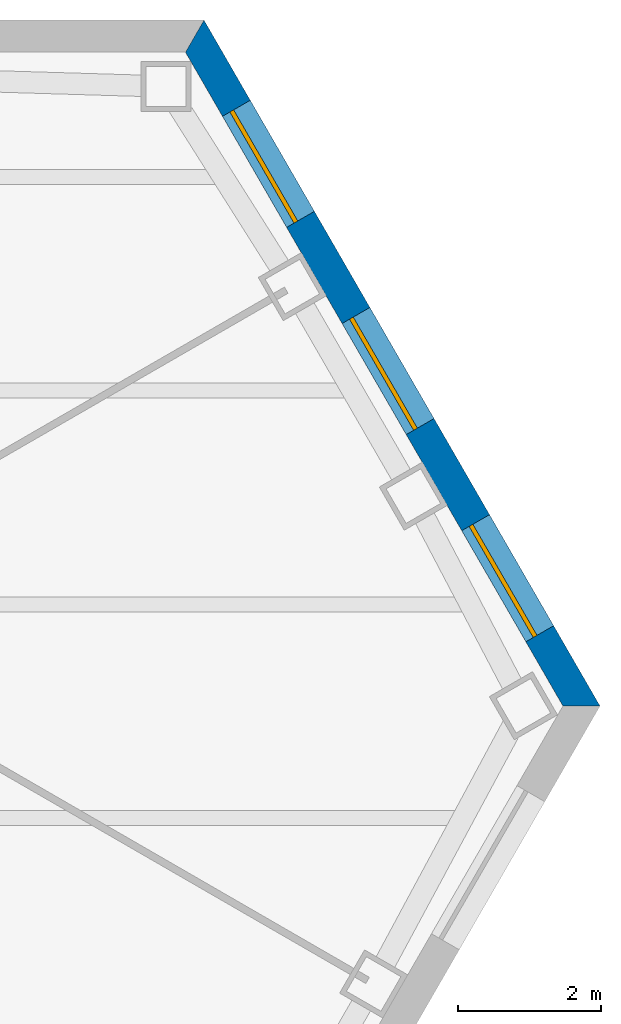
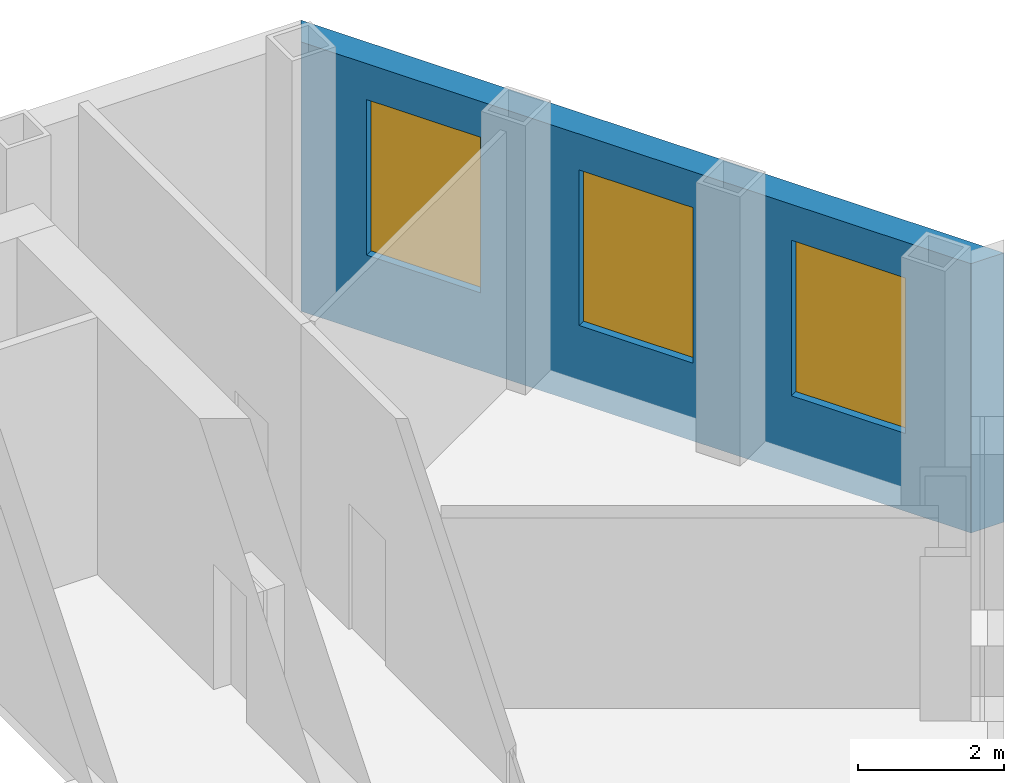
# One storey, part 8 of 11: 3 windows, 1 wall, 3 openings.
"""IFC4 building model written with IfcOpenShell, lengths in metres."""

from ifc_helpers import new_model, si_unit, direction, frame, frame_2d, origin, place, context, subcontext, project, spatial, polyline, rectangle, outline, extrude, material, layer, layer_set, type_object, element, fill, save


model = new_model("IFC4")

# Units and contexts
model_context = context("Model", 3, precision=1e-05, world=origin(), true_north=direction((0.0, 1.0)))
body_context = subcontext(model_context, "Body", "Model", "MODEL_VIEW")
ifc_project = project(units=[si_unit("LENGTHUNIT", "METRE"), si_unit("AREAUNIT", "SQUARE_METRE"), si_unit("VOLUMEUNIT", "CUBIC_METRE"), si_unit("PLANEANGLEUNIT", "RADIAN"), si_unit("MASSUNIT", "GRAM", prefix="KILO")], contexts=[model_context])

# Site, building, storey
site_placement = place(None, origin())
site = spatial("IfcSite", under=ifc_project, at=site_placement, CompositionType="ELEMENT")
building_placement = place(site_placement, origin())
building = spatial("IfcBuilding", under=site, at=building_placement, Name="Njiva Tower", CompositionType="ELEMENT")
storey_placement = place(building_placement, frame((0.0, 0.0, 64.8)))
storey = spatial("IfcBuildingStorey", under=building, at=storey_placement, Name="L13", CompositionType="ELEMENT", Elevation=64.8)

# Wall, openings, windows
ifc_material_1 = material(Name="Brick masonry, buff", Category="masonry")
ifc_layer = layer(ifc_material_1, 0.45)
ifc_layer_set = layer_set([ifc_layer], Name="Brick masonry, buff")
wall_type = type_object("IfcWallType", Name="WT94 Brick pier and spandrel wall 450, buff", PredefinedType="SOLIDWALL", material=ifc_layer_set)
wall_placement = place(storey_placement, frame((28.2964, 10.5763, -0.4), z_axis=(0.0, 0.0, 1.0), x_axis=(-0.500001948972, 0.866024278542, 0.0)))
wall = element("IfcWall", 1, at=wall_placement, inside=storey, type_object=wall_type, Name="Facade wall NE", PredefinedType="SOLIDWALL", context=body_context, shape_type="SweptSolid", body=[
    extrude(outline(polyline([(-0.1299, -0.225), (10.9801, -0.225), (10.7203, 0.225), (0.1299, 0.225), (-0.1299, -0.225)])), origin(), (0.0, 0.0, 1.0), 4.5),
])
opening_1_placement = place(wall_placement, frame((1.1681, 0.0, 1.3)))
opening_1 = element("IfcOpeningElement", 2, at=opening_1_placement, cuts=wall, Name="Opening S04-W35", PredefinedType="OPENING", context=body_context, shape_type="SweptSolid", body=[
    extrude(rectangle(XDim=1.8, YDim=2.6, at=frame_2d((0.9, 1.3))), frame((0.0, 0.235, 0.0), z_axis=(0.0, -1.0, 0.0), x_axis=(1.0, 0.0, 0.0)), (0.0, 0.0, 1.0), 0.47),
])
opening_2_placement = place(wall_placement, frame((4.5251, 0.0, 1.3)))
opening_2 = element("IfcOpeningElement", 3, at=opening_2_placement, cuts=wall, Name="Opening S04-W36", PredefinedType="OPENING", context=body_context, shape_type="SweptSolid", body=[
    extrude(rectangle(XDim=1.8, YDim=2.6, at=frame_2d((0.9, 1.3))), frame((0.0, 0.235, 0.0), z_axis=(0.0, -1.0, 0.0), x_axis=(1.0, 0.0, 0.0)), (0.0, 0.0, 1.0), 0.47),
])
opening_3_placement = place(wall_placement, frame((7.8821, 0.0, 1.3)))
opening_3 = element("IfcOpeningElement", 4, at=opening_3_placement, cuts=wall, Name="Opening S04-W37", PredefinedType="OPENING", context=body_context, shape_type="SweptSolid", body=[
    extrude(rectangle(XDim=1.8, YDim=2.6, at=frame_2d((0.9, 1.3))), frame((0.0, 0.235, 0.0), z_axis=(0.0, -1.0, 0.0), x_axis=(1.0, 0.0, 0.0)), (0.0, 0.0, 1.0), 0.47),
])
ifc_material_2 = material(Name="Clear glazing in aluminium frame", Category="aluminium")
window_type = type_object("IfcWindowType", Name="W96 Deep-set window 1800x2600", PartitioningType="SINGLE_PANEL", PredefinedType="WINDOW", material=ifc_material_2)
window_1_placement = place(opening_1_placement, origin())
window_1 = element("IfcWindow", 5, at=window_1_placement, inside=storey, type_object=window_type, Name="Window", OverallHeight=2.6, OverallWidth=1.8, PartitioningType="SINGLE_PANEL", PredefinedType="WINDOW", context=body_context, shape_type="SweptSolid", body=[
    extrude(rectangle(XDim=1.8, YDim=2.6, at=frame_2d((0.9, 1.3))), frame((0.0, 0.105, 0.0), z_axis=(0.0, -1.0, 0.0), x_axis=(1.0, 0.0, 0.0)), (0.0, 0.0, 1.0), 0.06),
])
fill(opening_1, window_1)
window_2_placement = place(opening_2_placement, origin())
window_2 = element("IfcWindow", 6, at=window_2_placement, inside=storey, type_object=window_type, Name="Window", OverallHeight=2.6, OverallWidth=1.8, PartitioningType="SINGLE_PANEL", PredefinedType="WINDOW", context=body_context, shape_type="SweptSolid", body=[
    extrude(rectangle(XDim=1.8, YDim=2.6, at=frame_2d((0.9, 1.3))), frame((0.0, 0.105, 0.0), z_axis=(0.0, -1.0, 0.0), x_axis=(1.0, 0.0, 0.0)), (0.0, 0.0, 1.0), 0.06),
])
fill(opening_2, window_2)
window_3_placement = place(opening_3_placement, origin())
window_3 = element("IfcWindow", 7, at=window_3_placement, inside=storey, type_object=window_type, Name="Window", OverallHeight=2.6, OverallWidth=1.8, PartitioningType="SINGLE_PANEL", PredefinedType="WINDOW", context=body_context, shape_type="SweptSolid", body=[
    extrude(rectangle(XDim=1.8, YDim=2.6, at=frame_2d((0.9, 1.3))), frame((0.0, 0.105, 0.0), z_axis=(0.0, -1.0, 0.0), x_axis=(1.0, 0.0, 0.0)), (0.0, 0.0, 1.0), 0.06),
])
fill(opening_3, window_3)

save(model, "model.ifc")
